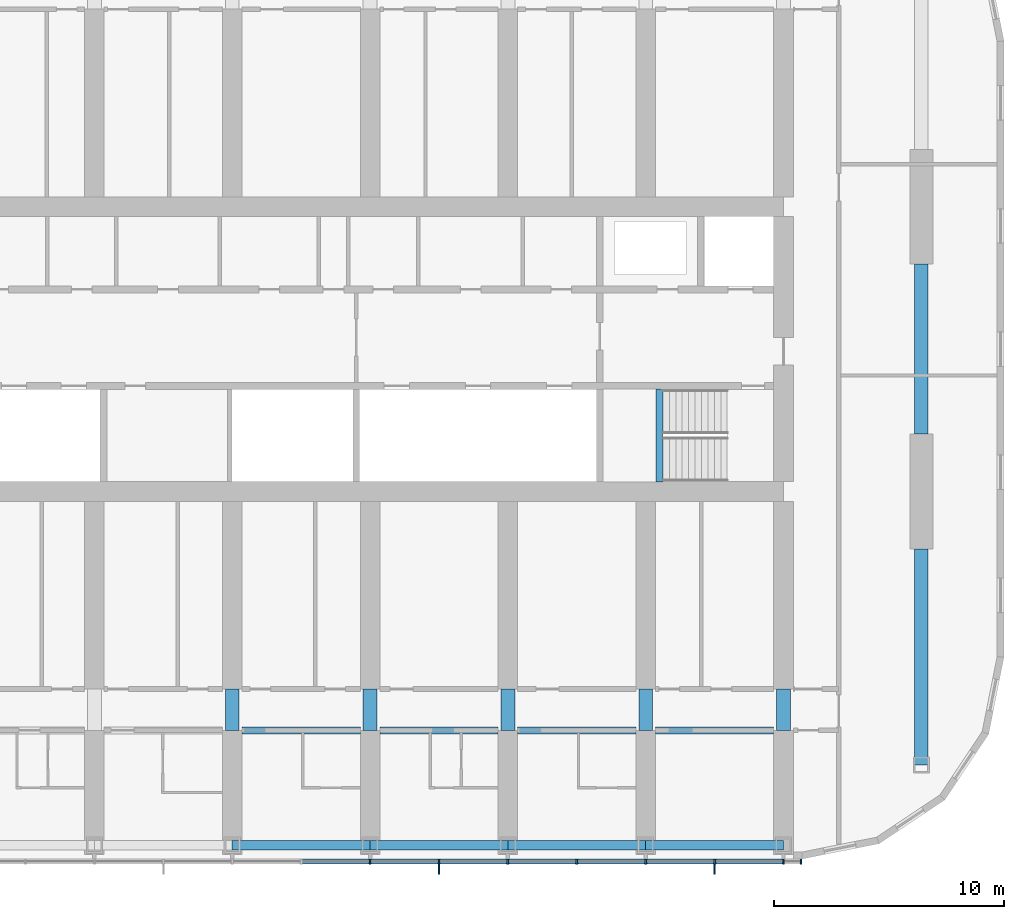
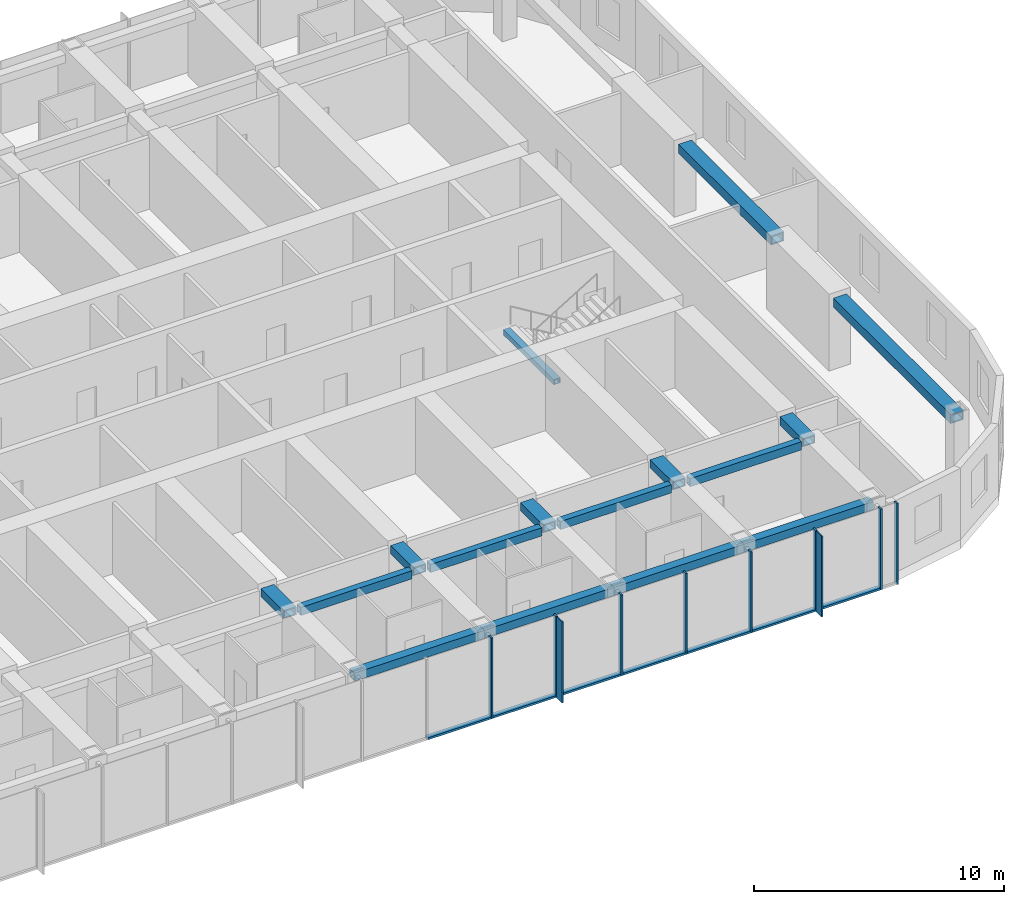
# One storey, part 7 of 29: 17 members, 16 beams, 1 element without a shape of its own.
"""IFC4 building model written with IfcOpenShell, lengths in metres."""

from ifc_helpers import new_model, si_unit, direction, frame, origin, origin_2d, place, context, subcontext, project, spatial, rectangle, hollow_rectangle, extrude, material, material_profile, profile_set, type_object, element, aggregate, save


model = new_model("IFC4")

# Units and contexts
model_context = context("Model", 3, precision=1e-05, world=origin(), true_north=direction((0.0, 1.0)))
body_context = subcontext(model_context, "Body", "Model", "MODEL_VIEW")
ifc_project = project(units=[si_unit("LENGTHUNIT", "METRE"), si_unit("AREAUNIT", "SQUARE_METRE"), si_unit("VOLUMEUNIT", "CUBIC_METRE"), si_unit("PLANEANGLEUNIT", "RADIAN"), si_unit("MASSUNIT", "GRAM", prefix="KILO")], contexts=[model_context])

# Site, building, storey
site_placement = place(None, origin())
site = spatial("IfcSite", under=ifc_project, at=site_placement, CompositionType="ELEMENT")
building_placement = place(site_placement, origin())
building = spatial("IfcBuilding", under=site, at=building_placement, Name="Orbita Commons", CompositionType="ELEMENT")
storey_placement = place(building_placement, frame((0.0, 0.0, 148.60009765625)))
storey = spatial("IfcBuildingStorey", under=building, at=storey_placement, Name="L36", CompositionType="ELEMENT", Elevation=148.60009765625)

# Curtain wall, members
ifc_material_1 = material(Name="Anodised aluminium frame, pale silver", Category="aluminium")
curtain_wall_type = type_object("IfcCurtainWallType", Name="Unitised curtain wall CW-U, full-height vision", PredefinedType="NOTDEFINED", material=ifc_material_1)
curtain_wall_placement = place(storey_placement, origin())
curtain_wall = element("IfcCurtainWall", 1, at=curtain_wall_placement, inside=storey, type_object=curtain_wall_type, Name="Curtain wall south L36", PredefinedType="NOTDEFINED")
ifc_material_2 = material(Name="Anodised aluminium, pale silver", Category="aluminium")
ifc_material_profile_1 = material_profile(ifc_material_2, rectangle(XDim=0.080078125, YDim=0.219970703125, at=origin_2d()), Name="AL 80x220")
ifc_profile_set_1 = profile_set([ifc_material_profile_1], Name="Anodised aluminium, pale silver")
member_type_1 = type_object("IfcMemberType", Name="Curtain wall mullion 80x220", PredefinedType="MULLION", material=ifc_profile_set_1)
member_1_placement = place(storey_placement, frame((48.0, 9.68994140625, -0.4501953125), z_axis=(0.0, 0.0, 1.0), x_axis=(1.0, 0.0, 0.0)))
member_1 = element("IfcMember", 2, at=member_1_placement, type_object=member_type_1, Name="Mullion 12 CW-L36-S", PredefinedType="MULLION", context=body_context, shape_type="SweptSolid", body=[
    extrude(rectangle(XDim=0.080078125, YDim=0.219970703125, at=origin_2d()), origin(), (0.0, 0.0, 1.0), 3.9501953125),
])
member_2_placement = place(storey_placement, frame((51.0, 9.68994140625, -0.4501953125), z_axis=(0.0, 0.0, 1.0), x_axis=(1.0, 0.0, 0.0)))
member_2 = element("IfcMember", 3, at=member_2_placement, type_object=member_type_1, Name="Mullion 13 CW-L36-S", PredefinedType="MULLION", context=body_context, shape_type="SweptSolid", body=[
    extrude(rectangle(XDim=0.080078125, YDim=0.219970703125, at=origin_2d()), origin(), (0.0, 0.0, 1.0), 3.9501953125),
])
member_3_placement = place(storey_placement, frame((54.0, 9.68994140625, -0.4501953125), z_axis=(0.0, 0.0, 1.0), x_axis=(1.0, 0.0, 0.0)))
member_3 = element("IfcMember", 4, at=member_3_placement, type_object=member_type_1, Name="Mullion 14 CW-L36-S", PredefinedType="MULLION", context=body_context, shape_type="SweptSolid", body=[
    extrude(rectangle(XDim=0.080078125, YDim=0.219970703125, at=origin_2d()), origin(), (0.0, 0.0, 1.0), 3.9501953125),
])
member_4_placement = place(storey_placement, frame((57.0, 9.68994140625, -0.4501953125), z_axis=(0.0, 0.0, 1.0), x_axis=(1.0, 0.0, 0.0)))
member_4 = element("IfcMember", 5, at=member_4_placement, type_object=member_type_1, Name="Mullion 15 CW-L36-S", PredefinedType="MULLION", context=body_context, shape_type="SweptSolid", body=[
    extrude(rectangle(XDim=0.080078125, YDim=0.219970703125, at=origin_2d()), origin(), (0.0, 0.0, 1.0), 3.9501953125),
])
member_5_placement = place(storey_placement, frame((60.0, 9.68994140625, -0.4501953125), z_axis=(0.0, 0.0, 1.0), x_axis=(1.0, 0.0, 0.0)))
member_5 = element("IfcMember", 6, at=member_5_placement, type_object=member_type_1, Name="Mullion 16 CW-L36-S", PredefinedType="MULLION", context=body_context, shape_type="SweptSolid", body=[
    extrude(rectangle(XDim=0.080078125, YDim=0.219970703125, at=origin_2d()), origin(), (0.0, 0.0, 1.0), 3.9501953125),
])
member_6_placement = place(storey_placement, frame((63.0, 9.68994140625, -0.4501953125), z_axis=(0.0, 0.0, 1.0), x_axis=(1.0, 0.0, 0.0)))
member_6 = element("IfcMember", 7, at=member_6_placement, type_object=member_type_1, Name="Mullion 17 CW-L36-S", PredefinedType="MULLION", context=body_context, shape_type="SweptSolid", body=[
    extrude(rectangle(XDim=0.080078125, YDim=0.219970703125, at=origin_2d()), origin(), (0.0, 0.0, 1.0), 3.9501953125),
])
member_7_placement = place(storey_placement, frame((66.0, 9.68994140625, -0.4501953125), z_axis=(0.0, 0.0, 1.0), x_axis=(1.0, 0.0, 0.0)))
member_7 = element("IfcMember", 8, at=member_7_placement, type_object=member_type_1, Name="Mullion 18 CW-L36-S", PredefinedType="MULLION", context=body_context, shape_type="SweptSolid", body=[
    extrude(rectangle(XDim=0.080078125, YDim=0.219970703125, at=origin_2d()), origin(), (0.0, 0.0, 1.0), 3.9501953125),
])
member_8_placement = place(storey_placement, frame((66.760009765625, 9.68994140625, -0.4501953125), z_axis=(0.0, 0.0, 1.0), x_axis=(1.0, 0.0, 0.0)))
member_8 = element("IfcMember", 9, at=member_8_placement, type_object=member_type_1, Name="Mullion 19 CW-L36-S", PredefinedType="MULLION", context=body_context, shape_type="SweptSolid", body=[
    extrude(rectangle(XDim=0.080078125, YDim=0.219970703125, at=origin_2d()), origin(), (0.0, 0.0, 1.0), 3.9501953125),
])
ifc_material_3 = material(Name="Anodised aluminium, pale silver", Category="aluminium")
ifc_material_profile_2 = material_profile(ifc_material_3, rectangle(XDim=0.219970703125, YDim=0.10009765625, at=origin_2d()), Name="AL 220x100")
ifc_profile_set_2 = profile_set([ifc_material_profile_2], Name="Anodised aluminium, pale silver")
member_type_2 = type_object("IfcMemberType", Name="Curtain wall stack transom 220x100", PredefinedType="USERDEFINED", material=ifc_profile_set_2)
member_9_placement = place(storey_placement, frame((45.0400390625, 9.68994140625, -0.400146484375), z_axis=(1.0, 0.0, 0.0), x_axis=(0.0, 1.0, 0.0)))
member_9 = element("IfcMember", 10, at=member_9_placement, type_object=member_type_2, Name="Transom 11.1 CW-L36-S", ObjectType="TRANSOM", PredefinedType="USERDEFINED", context=body_context, shape_type="SweptSolid", body=[
    extrude(rectangle(XDim=0.219970703125, YDim=0.10009765625, at=origin_2d()), origin(), (0.0, 0.0, 1.0), 2.919921875),
])
member_10_placement = place(storey_placement, frame((48.0400390625, 9.68994140625, -0.400146484375), z_axis=(1.0, 0.0, 0.0), x_axis=(0.0, 1.0, 0.0)))
member_10 = element("IfcMember", 11, at=member_10_placement, type_object=member_type_2, Name="Transom 12.1 CW-L36-S", ObjectType="TRANSOM", PredefinedType="USERDEFINED", context=body_context, shape_type="SweptSolid", body=[
    extrude(rectangle(XDim=0.219970703125, YDim=0.10009765625, at=origin_2d()), origin(), (0.0, 0.0, 1.0), 2.919921875),
])
member_11_placement = place(storey_placement, frame((51.0400390625, 9.68994140625, -0.400146484375), z_axis=(1.0, 0.0, 0.0), x_axis=(0.0, 1.0, 0.0)))
member_11 = element("IfcMember", 12, at=member_11_placement, type_object=member_type_2, Name="Transom 13.1 CW-L36-S", ObjectType="TRANSOM", PredefinedType="USERDEFINED", context=body_context, shape_type="SweptSolid", body=[
    extrude(rectangle(XDim=0.219970703125, YDim=0.10009765625, at=origin_2d()), origin(), (0.0, 0.0, 1.0), 2.919921875),
])
member_12_placement = place(storey_placement, frame((54.0400390625, 9.68994140625, -0.400146484375), z_axis=(1.0, 0.0, 0.0), x_axis=(0.0, 1.0, 0.0)))
member_12 = element("IfcMember", 13, at=member_12_placement, type_object=member_type_2, Name="Transom 14.1 CW-L36-S", ObjectType="TRANSOM", PredefinedType="USERDEFINED", context=body_context, shape_type="SweptSolid", body=[
    extrude(rectangle(XDim=0.219970703125, YDim=0.10009765625, at=origin_2d()), origin(), (0.0, 0.0, 1.0), 2.919921875),
])
member_13_placement = place(storey_placement, frame((57.0400390625, 9.68994140625, -0.400146484375), z_axis=(1.0, 0.0, 0.0), x_axis=(0.0, 1.0, 0.0)))
member_13 = element("IfcMember", 14, at=member_13_placement, type_object=member_type_2, Name="Transom 15.1 CW-L36-S", ObjectType="TRANSOM", PredefinedType="USERDEFINED", context=body_context, shape_type="SweptSolid", body=[
    extrude(rectangle(XDim=0.219970703125, YDim=0.10009765625, at=origin_2d()), origin(), (0.0, 0.0, 1.0), 2.919921875),
])
member_14_placement = place(storey_placement, frame((60.0400390625, 9.68994140625, -0.400146484375), z_axis=(1.0, 0.0, 0.0), x_axis=(0.0, 1.0, 0.0)))
member_14 = element("IfcMember", 15, at=member_14_placement, type_object=member_type_2, Name="Transom 16.1 CW-L36-S", ObjectType="TRANSOM", PredefinedType="USERDEFINED", context=body_context, shape_type="SweptSolid", body=[
    extrude(rectangle(XDim=0.219970703125, YDim=0.10009765625, at=origin_2d()), origin(), (0.0, 0.0, 1.0), 2.919921875),
])
member_15_placement = place(storey_placement, frame((63.0400390625, 9.68994140625, -0.400146484375), z_axis=(1.0, 0.0, 0.0), x_axis=(0.0, 1.0, 0.0)))
member_15 = element("IfcMember", 16, at=member_15_placement, type_object=member_type_2, Name="Transom 17.1 CW-L36-S", ObjectType="TRANSOM", PredefinedType="USERDEFINED", context=body_context, shape_type="SweptSolid", body=[
    extrude(rectangle(XDim=0.219970703125, YDim=0.10009765625, at=origin_2d()), origin(), (0.0, 0.0, 1.0), 2.919921875),
])

# Beams
ifc_material_4 = material(Name="Steel ASTM A572 Gr 50 welded plate", Category="steel")
ifc_material_profile_3 = material_profile(ifc_material_4, hollow_rectangle(XDim=0.300048828125, YDim=0.25, WallThickness=0.02490234375, at=origin_2d()), Name="BOX 250x300x25")
ifc_profile_set_3 = profile_set([ifc_material_profile_3], Name="Steel ASTM A572 Gr 50 welded plate")
beam_type_1 = type_object("IfcBeamType", Name="Stair landing beam steel BOX 250x300x25", PredefinedType="BEAM", material=ifc_profile_set_3)
beam_1_placement = place(storey_placement, frame((60.60009765625, 26.2099609375, 1.5498046875), z_axis=(0.0, 1.0, 0.0), x_axis=(-1.0, 0.0, 0.0)))
element("IfcBeam", 17, at=beam_1_placement, inside=storey, type_object=beam_type_1, Name="Stair S2 landing beam L36 1", PredefinedType="BEAM", context=body_context, shape_type="SweptSolid", body=[
    extrude(hollow_rectangle(XDim=0.300048828125, YDim=0.25, WallThickness=0.02490234375, at=origin_2d()), origin(), (0.0, 0.0, 1.0), 4.054931640625),
])
ifc_material_5 = material(Name="Steel ASTM A572 Gr 50 welded plate", Category="steel")
ifc_material_profile_4 = material_profile(ifc_material_5, hollow_rectangle(XDim=0.300048828125, YDim=0.39990234375, WallThickness=0.0400390625, at=origin_2d()), Name="BOX 400x300x40")
ifc_profile_set_4 = profile_set([ifc_material_profile_4], Name="Steel ASTM A572 Gr 50 welded plate")
beam_type_2 = type_object("IfcBeamType", Name="Steel corridor link BOX 400x300x40", PredefinedType="BEAM", material=ifc_profile_set_4)
for number, where, z_axis, x_axis, name in (
    (18, (42.425048828125, 15.39990234375, 3.2998046875), (1.0, 0.0, 0.0), (0.0, 1.0, 0.0), "Corridor beam SA 8-9 L36"),
    (19, (48.425048828125, 15.39990234375, 3.2998046875), (1.0, 0.0, 0.0), (0.0, 1.0, 0.0), "Corridor beam SA 9-10 L36"),
    (20, (54.425048828125, 15.39990234375, 3.2998046875), (1.0, 0.0, 0.0), (0.0, 1.0, 0.0), "Corridor beam SA 10-11 L36"),
    (21, (60.425048828125, 15.39990234375, 3.2998046875), (1.0, 0.0, 0.0), (0.0, 1.0, 0.0), "Corridor beam SA 11-12 L36"),
):
    element("IfcBeam", number, at=place(storey_placement, frame(where, z_axis=z_axis, x_axis=x_axis)), inside=storey, type_object=beam_type_2, Name=name, PredefinedType="BEAM", context=body_context, shape_type="SweptSolid", body=[
        extrude(hollow_rectangle(XDim=0.300048828125, YDim=0.39990234375, WallThickness=0.0400390625, at=origin_2d()), origin(), (0.0, 0.0, 1.0), 5.14990234375),
    ])
ifc_material_6 = material(Name="Steel ASTM A572 Gr 50 welded plate", Category="steel")
ifc_material_profile_5 = material_profile(ifc_material_6, hollow_rectangle(XDim=0.60009765625, YDim=0.39990234375, WallThickness=0.050048828125, at=origin_2d()), Name="BOX 400x600x50")
ifc_profile_set_5 = profile_set([ifc_material_profile_5], Name="Steel ASTM A572 Gr 50 welded plate")
beam_type_3 = type_object("IfcBeamType", Name="Steel coupling link BOX 400x600x50", PredefinedType="LINTEL", material=ifc_profile_set_5)
for number, where, z_axis, x_axis, name in (
    (22, (42.0, 15.39990234375, 3.2998046875), (0.0, 1.0, 0.0), (-1.0, 0.0, 0.0), "Coupling beam 8 south L36"),
    (23, (48.0, 15.39990234375, 3.2998046875), (0.0, 1.0, 0.0), (-1.0, 0.0, 0.0), "Coupling beam 9 south L36"),
    (24, (54.0, 15.39990234375, 3.2998046875), (0.0, 1.0, 0.0), (-1.0, 0.0, 0.0), "Coupling beam 10 south L36"),
    (25, (60.0, 15.39990234375, 3.2998046875), (0.0, 1.0, 0.0), (-1.0, 0.0, 0.0), "Coupling beam 11 south L36"),
    (26, (66.0, 15.39990234375, 3.2998046875), (0.0, 1.0, 0.0), (-1.0, 0.0, 0.0), "Coupling beam 12 south L36"),
):
    element("IfcBeam", number, at=place(storey_placement, frame(where, z_axis=z_axis, x_axis=x_axis)), inside=storey, type_object=beam_type_3, Name=name, PredefinedType="LINTEL", context=body_context, shape_type="SweptSolid", body=[
        extrude(hollow_rectangle(XDim=0.60009765625, YDim=0.39990234375, WallThickness=0.050048828125, at=origin_2d()), origin(), (0.0, 0.0, 1.0), 1.800048828125),
    ])
ifc_material_7 = material(Name="Steel ASTM A572 Gr 50 welded plate", Category="steel")
ifc_material_profile_6 = material_profile(ifc_material_7, hollow_rectangle(XDim=0.60009765625, YDim=0.449951171875, WallThickness=0.06005859375, at=origin_2d()), Name="BOX 450x600x60")
ifc_profile_set_6 = profile_set([ifc_material_profile_6], Name="Steel ASTM A572 Gr 50 welded plate")
beam_type_4 = type_object("IfcBeamType", Name="Steel end frame link BOX 450x600x60", PredefinedType="BEAM", material=ifc_profile_set_6)
beam_2_placement = place(storey_placement, frame((72.0, 13.89990234375, 3.27490234375), z_axis=(0.0, 1.0, 0.0), x_axis=(-1.0, 0.0, 0.0)))
element("IfcBeam", 27, at=beam_2_placement, inside=storey, type_object=beam_type_4, Name="End frame beam 13 B-C L36", PredefinedType="BEAM", context=body_context, shape_type="SweptSolid", body=[
    extrude(hollow_rectangle(XDim=0.60009765625, YDim=0.449951171875, WallThickness=0.06005859375, at=origin_2d()), origin(), (0.0, 0.0, 1.0), 9.400146484375),
])
beam_3_placement = place(storey_placement, frame((72.0, 28.300048828125, 3.27490234375), z_axis=(0.0, 1.0, 0.0), x_axis=(-1.0, 0.0, 0.0)))
element("IfcBeam", 28, at=beam_3_placement, inside=storey, type_object=beam_type_4, Name="End frame beam 13 C-D L36", PredefinedType="BEAM", context=body_context, shape_type="SweptSolid", body=[
    extrude(hollow_rectangle(XDim=0.60009765625, YDim=0.449951171875, WallThickness=0.06005859375, at=origin_2d()), origin(), (0.0, 0.0, 1.0), 7.39990234375),
])
ifc_material_8 = material(Name="Steel ASTM A572 Gr 50 welded plate", Category="steel")
ifc_material_profile_7 = material_profile(ifc_material_8, hollow_rectangle(XDim=0.39990234375, YDim=0.39990234375, WallThickness=0.0400390625, at=origin_2d()), Name="BOX 400x400x40")
ifc_profile_set_7 = profile_set([ifc_material_profile_7], Name="Steel ASTM A572 Gr 50 welded plate")
beam_type_5 = type_object("IfcBeamType", Name="Steel spandrel BOX 400x400x40", PredefinedType="SPANDREL", material=ifc_profile_set_7)
for number, where, z_axis, x_axis, name in (
    (29, (42.0, 10.39990234375, 3.2998046875), (1.0, 0.0, 0.0), (0.0, 1.0, 0.0), "Spandrel beam B 8-9 L36"),
    (30, (48.0, 10.39990234375, 3.2998046875), (1.0, 0.0, 0.0), (0.0, 1.0, 0.0), "Spandrel beam B 9-10 L36"),
    (31, (54.0, 10.39990234375, 3.2998046875), (1.0, 0.0, 0.0), (0.0, 1.0, 0.0), "Spandrel beam B 10-11 L36"),
    (32, (60.0, 10.39990234375, 3.2998046875), (1.0, 0.0, 0.0), (0.0, 1.0, 0.0), "Spandrel beam B 11-12 L36"),
):
    element("IfcBeam", number, at=place(storey_placement, frame(where, z_axis=z_axis, x_axis=x_axis)), inside=storey, type_object=beam_type_5, Name=name, PredefinedType="SPANDREL", context=body_context, shape_type="SweptSolid", body=[
        extrude(hollow_rectangle(XDim=0.39990234375, YDim=0.39990234375, WallThickness=0.0400390625, at=origin_2d()), origin(), (0.0, 0.0, 1.0), 6.0),
    ])

# Member
ifc_material_9 = material(Name="Anodised aluminium, pale silver", Category="aluminium")
ifc_material_profile_8 = material_profile(ifc_material_9, rectangle(XDim=0.06005859375, YDim=0.449951171875, at=origin_2d()), Name="FIN 60x450")
ifc_profile_set_8 = profile_set([ifc_material_profile_8], Name="Anodised aluminium, pale silver")
member_type_3 = type_object("IfcMemberType", Name="Vertical fin 60x450 pale aluminium", PredefinedType="USERDEFINED", material=ifc_profile_set_8)
member_16_placement = place(storey_placement, frame((51.0, 9.35498046875, -0.4501953125), z_axis=(0.0, 0.0, 1.0), x_axis=(1.0, 0.0, 0.0)))
member_16 = element("IfcMember", 33, at=member_16_placement, type_object=member_type_3, Name="Fin 13 CW-L36-S", ObjectType="FIN", PredefinedType="USERDEFINED", context=body_context, shape_type="SweptSolid", body=[
    extrude(rectangle(XDim=0.06005859375, YDim=0.449951171875, at=origin_2d()), origin(), (0.0, 0.0, 1.0), 3.9501953125),
])

member_17_placement = place(storey_placement, frame((63.0, 9.35498046875, -0.4501953125), z_axis=(0.0, 0.0, 1.0), x_axis=(1.0, 0.0, 0.0)))
member_17 = element("IfcMember", 34, at=member_17_placement, type_object=member_type_3, Name="Fin 17 CW-L36-S", ObjectType="FIN", PredefinedType="USERDEFINED", context=body_context, shape_type="SweptSolid", body=[
    extrude(rectangle(XDim=0.06005859375, YDim=0.449951171875, at=origin_2d()), origin(), (0.0, 0.0, 1.0), 3.9501953125),
])

aggregate(curtain_wall, [member_1, member_2, member_16, member_3, member_4, member_5, member_6, member_17, member_7, member_8, member_9, member_10, member_11, member_12, member_13, member_14, member_15])

save(model, "model.ifc")
